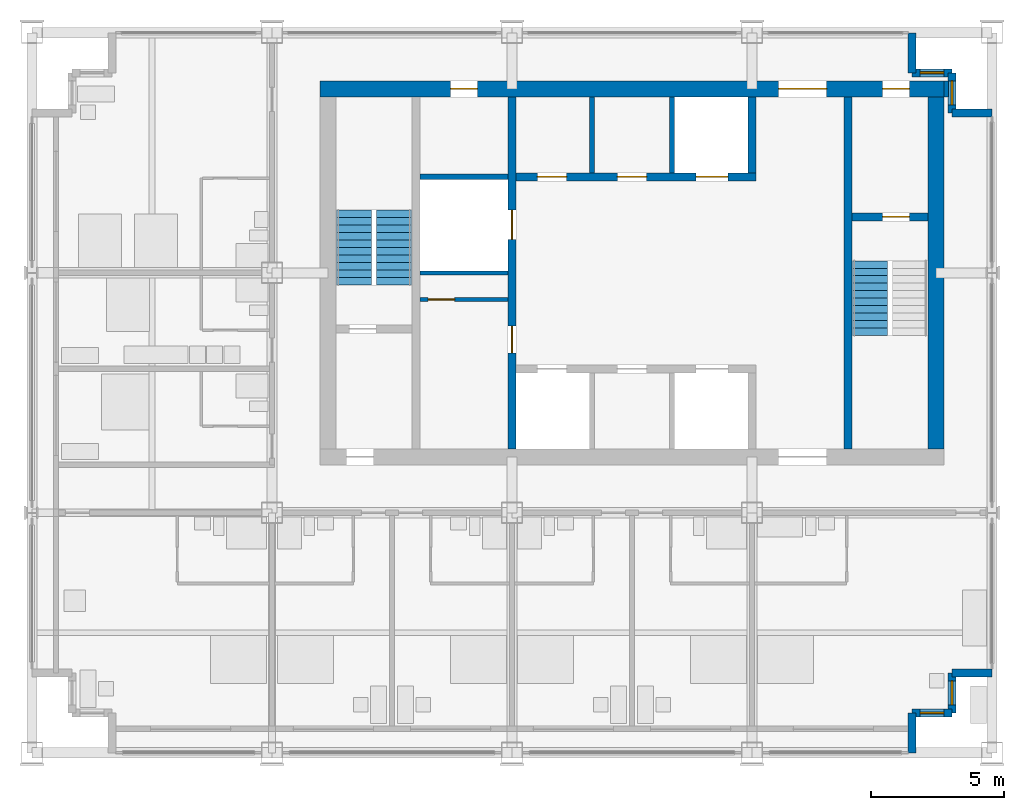
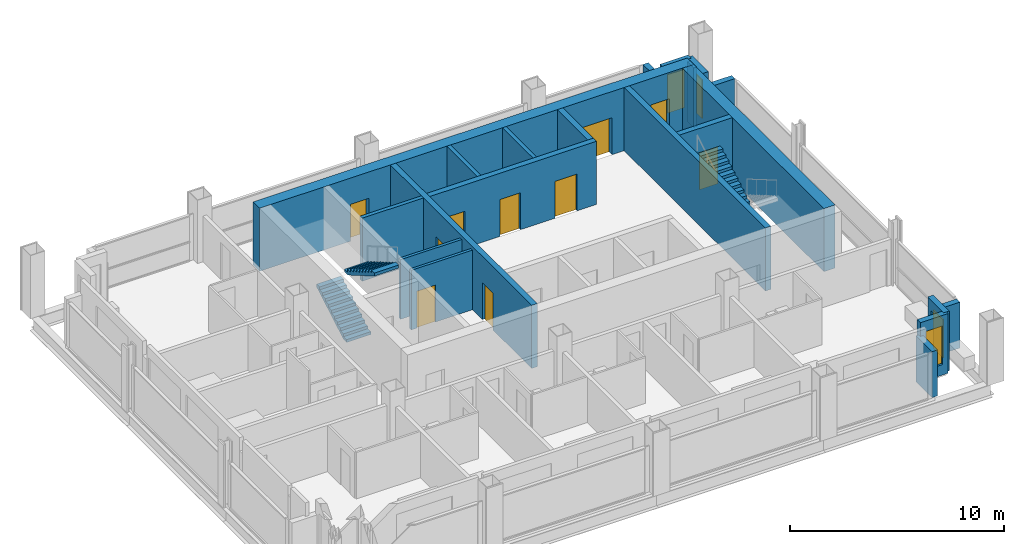
# One storey, part 8 of 12: 21 walls, 10 doors, 4 windows, 3 stair flights, 14 openings, 2 elements without a shape of their own.
"""IFC4 building model written with IfcOpenShell, lengths in metres."""

from ifc_helpers import new_model, si_unit, direction, frame, frame_2d, origin, place, context, subcontext, project, spatial, polyline, rectangle, outline, extrude, material, layer, layer_set, type_object, element, fill, aggregate, save


model = new_model("IFC4")

# Units and contexts
model_context = context("Model", 3, precision=1e-05, world=origin(), true_north=direction((0.0, 1.0)))
body_context = subcontext(model_context, "Body", "Model", "MODEL_VIEW")
ifc_project = project(units=[si_unit("LENGTHUNIT", "METRE"), si_unit("AREAUNIT", "SQUARE_METRE"), si_unit("VOLUMEUNIT", "CUBIC_METRE"), si_unit("PLANEANGLEUNIT", "RADIAN"), si_unit("MASSUNIT", "GRAM", prefix="KILO")], contexts=[model_context])

# Site, building, storey
site_placement = place(None, origin())
site = spatial("IfcSite", under=ifc_project, at=site_placement, CompositionType="ELEMENT")
building_placement = place(site_placement, origin())
building = spatial("IfcBuilding", under=site, at=building_placement, Name="Loomwork Tower", CompositionType="ELEMENT")
storey_placement = place(building_placement, frame((0.0, 0.0, 251.800048828125)))
storey = spatial("IfcBuildingStorey", under=building, at=storey_placement, Name="L69", CompositionType="ELEMENT", Elevation=251.800048828125)

# Wall, openings, doors
ifc_material_1 = material(Name="Concrete 14000 psi (97 MPa)", Category="concrete")
ifc_layer_1 = layer(ifc_material_1, 0.300048828125)
ifc_layer_set_1 = layer_set([ifc_layer_1], Name="Core shear wall 300")
wall_type_1 = type_object("IfcWallType", Name="Core shear wall 300", PredefinedType="SHEAR", material=ifc_layer_set_1)
wall_1_placement = place(storey_placement, frame((18.0, 11.39990234375, 0.0), z_axis=(0.0, 0.0, 1.0), x_axis=(0.0, 1.0, 0.0)))
wall_1 = element("IfcWall", 1, at=wall_1_placement, inside=storey, type_object=wall_type_1, Name="Lobby west wall L69", PredefinedType="SHEAR", context=body_context, shape_type="SweptSolid", body=[
    extrude(rectangle(XDim=13.2001953125, YDim=0.300048828125, at=frame_2d((6.60009765625, 0.0))), origin(), (0.0, 0.0, 1.0), 3.599853515625),
])
opening_1_placement = place(wall_1_placement, frame((3.60009765625, 0.0, 0.0)))
opening_1 = element("IfcOpeningElement", 2, at=opening_1_placement, cuts=wall_1, Name="Opening D5", PredefinedType="OPENING", context=body_context, shape_type="SweptSolid", body=[
    extrude(rectangle(XDim=1.0, YDim=2.10009765625, at=frame_2d((0.5, 1.050048828125))), frame((0.0, 0.159912109375, 0.0), z_axis=(0.0, -1.0, 0.0), x_axis=(1.0, 0.0, 0.0)), (0.0, 0.0, 1.0), 0.320068359375),
])
opening_2_placement = place(wall_1_placement, frame((7.85009765625, 0.0, 0.0)))
opening_2 = element("IfcOpeningElement", 3, at=opening_2_placement, cuts=wall_1, Name="Opening LD1", PredefinedType="OPENING", context=body_context, shape_type="SweptSolid", body=[
    extrude(rectangle(XDim=1.10009765625, YDim=2.10009765625, at=frame_2d((0.550048828125, 1.050048828125))), frame((0.0, 0.159912109375, 0.0), z_axis=(0.0, -1.0, 0.0), x_axis=(1.0, 0.0, 0.0)), (0.0, 0.0, 1.0), 0.320068359375),
])
ifc_material_2 = material(Name="Hollow metal door and frame")
door_type_1 = type_object("IfcDoorType", Name="Lift landing door 1100", OperationType="SLIDING_TO_LEFT", PredefinedType="DOOR", material=ifc_material_2)
door_1_placement = place(opening_2_placement, origin())
door_1 = element("IfcDoor", 4, at=door_1_placement, inside=storey, type_object=door_type_1, Name="Lift landing door LC2", OperationType="SLIDING_TO_LEFT", OverallHeight=2.10009765625, OverallWidth=1.10009765625, PredefinedType="DOOR", context=body_context, shape_type="SweptSolid", body=[
    extrude(rectangle(XDim=1.10009765625, YDim=2.10009765625, at=frame_2d((0.550048828125, 1.050048828125))), frame((0.0, 0.02490234375, 0.0), z_axis=(0.0, -1.0, 0.0), x_axis=(1.0, 0.0, 0.0)), (0.0, 0.0, 1.0), 0.050048828125),
])
fill(opening_2, door_1)
ifc_material_3 = material(Name="Hollow metal door and frame")
door_type_2 = type_object("IfcDoorType", Name="Service door 1000", OperationType="SINGLE_SWING_LEFT", PredefinedType="DOOR", material=ifc_material_3)
door_2_placement = place(opening_1_placement, origin())
door_2 = element("IfcDoor", 5, at=door_2_placement, inside=storey, type_object=door_type_2, Name="Back-of-house door south", OperationType="SINGLE_SWING_LEFT", OverallHeight=2.10009765625, OverallWidth=1.0, PredefinedType="DOOR", context=body_context, shape_type="SweptSolid", body=[
    extrude(rectangle(XDim=1.0, YDim=2.10009765625, at=frame_2d((0.5, 1.050048828125))), frame((0.0, 0.02490234375, 0.0), z_axis=(0.0, -1.0, 0.0), x_axis=(1.0, 0.0, 0.0)), (0.0, 0.0, 1.0), 0.050048828125),
])
fill(opening_1, door_2)

wall_2_placement = place(storey_placement, frame((18.14990234375, 21.60009765625, 0.0), z_axis=(0.0, 0.0, 1.0), x_axis=(1.0, 0.0, 0.0)))
wall_2 = element("IfcWall", 6, at=wall_2_placement, inside=storey, type_object=wall_type_1, Name="Lift front wall north L69", PredefinedType="SHEAR", context=body_context, shape_type="SweptSolid", body=[
    extrude(rectangle(XDim=9.0, YDim=0.300048828125, at=frame_2d((4.5, 0.0))), origin(), (0.0, 0.0, 1.0), 3.599853515625),
])
opening_3_placement = place(wall_2_placement, frame((6.75, 0.0, 0.0)))
opening_3 = element("IfcOpeningElement", 7, at=opening_3_placement, cuts=wall_2, Name="Opening LD2", PredefinedType="OPENING", context=body_context, shape_type="SweptSolid", body=[
    extrude(rectangle(XDim=1.199951171875, YDim=2.10009765625, at=frame_2d((0.60009765625, 1.050048828125))), frame((0.0, 0.159912109375, 0.0), z_axis=(0.0, -1.0, 0.0), x_axis=(1.0, 0.0, 0.0)), (0.0, 0.0, 1.0), 0.320068359375),
])
opening_4_placement = place(wall_2_placement, frame((0.800048828125, 0.0, 0.0)))
opening_4 = element("IfcOpeningElement", 8, at=opening_4_placement, cuts=wall_2, Name="Opening D17", PredefinedType="OPENING", context=body_context, shape_type="SweptSolid", body=[
    extrude(rectangle(XDim=1.10009765625, YDim=2.10009765625, at=frame_2d((0.550048828125, 1.050048828125))), frame((0.0, 0.159912109375, 0.0), z_axis=(0.0, -1.0, 0.0), x_axis=(1.0, 0.0, 0.0)), (0.0, 0.0, 1.0), 0.320068359375),
])
opening_5_placement = place(wall_2_placement, frame((3.800048828125, 0.0, 0.0)))
opening_5 = element("IfcOpeningElement", 9, at=opening_5_placement, cuts=wall_2, Name="Opening D17", PredefinedType="OPENING", context=body_context, shape_type="SweptSolid", body=[
    extrude(rectangle(XDim=1.10009765625, YDim=2.10009765625, at=frame_2d((0.550048828125, 1.050048828125))), frame((0.0, 0.159912109375, 0.0), z_axis=(0.0, -1.0, 0.0), x_axis=(1.0, 0.0, 0.0)), (0.0, 0.0, 1.0), 0.320068359375),
])
ifc_material_4 = material(Name="Hollow metal door and frame")
door_type_3 = type_object("IfcDoorType", Name="Lift landing door 1200", OperationType="SLIDING_TO_LEFT", PredefinedType="DOOR", material=ifc_material_4)
door_3_placement = place(opening_3_placement, origin())
door_3 = element("IfcDoor", 10, at=door_3_placement, inside=storey, type_object=door_type_3, Name="Lift landing door LF2", OperationType="SLIDING_TO_LEFT", OverallHeight=2.10009765625, OverallWidth=1.199951171875, PredefinedType="DOOR", context=body_context, shape_type="SweptSolid", body=[
    extrude(rectangle(XDim=1.199951171875, YDim=2.10009765625, at=frame_2d((0.60009765625, 1.050048828125))), frame((0.0, 0.02490234375, 0.0), z_axis=(0.0, -1.0, 0.0), x_axis=(1.0, 0.0, 0.0)), (0.0, 0.0, 1.0), 0.050048828125),
])
fill(opening_3, door_3)
ifc_material_5 = material(Name="Hollow metal door and frame")
door_type_4 = type_object("IfcDoorType", Name="Service room door 1100", OperationType="SINGLE_SWING_LEFT", PredefinedType="DOOR", material=ifc_material_5)
door_4_placement = place(opening_4_placement, origin())
door_4 = element("IfcDoor", 11, at=door_4_placement, inside=storey, type_object=door_type_4, Name="Housekeeping store door L69", OperationType="SINGLE_SWING_LEFT", OverallHeight=2.10009765625, OverallWidth=1.10009765625, PredefinedType="DOOR", context=body_context, shape_type="SweptSolid", body=[
    extrude(rectangle(XDim=1.10009765625, YDim=2.10009765625, at=frame_2d((0.550048828125, 1.050048828125))), frame((0.0, 0.02490234375, 0.0), z_axis=(0.0, -1.0, 0.0), x_axis=(1.0, 0.0, 0.0)), (0.0, 0.0, 1.0), 0.050048828125),
])
fill(opening_4, door_4)
door_5_placement = place(opening_5_placement, origin())
door_5 = element("IfcDoor", 12, at=door_5_placement, inside=storey, type_object=door_type_4, Name="Guest pantry, ice and vending door L69", OperationType="SINGLE_SWING_LEFT", OverallHeight=2.10009765625, OverallWidth=1.10009765625, PredefinedType="DOOR", context=body_context, shape_type="SweptSolid", body=[
    extrude(rectangle(XDim=1.10009765625, YDim=2.10009765625, at=frame_2d((0.550048828125, 1.050048828125))), frame((0.0, 0.02490234375, 0.0), z_axis=(0.0, -1.0, 0.0), x_axis=(1.0, 0.0, 0.0)), (0.0, 0.0, 1.0), 0.050048828125),
])
fill(opening_5, door_5)

# Walls
wall_3_placement = place(storey_placement, frame((27.0, 21.75, 0.0), z_axis=(0.0, 0.0, 1.0), x_axis=(0.0, 1.0, 0.0)))
element("IfcWall", 13, at=wall_3_placement, inside=storey, type_object=wall_type_1, Name="Lift shaft end wall north L69", PredefinedType="SHEAR", context=body_context, shape_type="SweptSolid", body=[
    extrude(rectangle(XDim=2.85009765625, YDim=0.300048828125, at=frame_2d((1.425048828125, 0.0))), origin(), (0.0, 0.0, 1.0), 3.599853515625),
])
wall_4_placement = place(storey_placement, frame((30.60009765625, 11.39990234375, 0.0), z_axis=(0.0, 0.0, 1.0), x_axis=(0.0, 1.0, 0.0)))
element("IfcWall", 14, at=wall_4_placement, inside=storey, type_object=wall_type_1, Name="Stair B west wall L69", PredefinedType="SHEAR", context=body_context, shape_type="SweptSolid", body=[
    extrude(rectangle(XDim=13.2001953125, YDim=0.300048828125, at=frame_2d((6.60009765625, 0.0))), origin(), (0.0, 0.0, 1.0), 3.599853515625),
])

# Wall, opening, door
wall_5_placement = place(storey_placement, frame((30.75, 20.10009765625, 0.0), z_axis=(0.0, 0.0, 1.0), x_axis=(1.0, 0.0, 0.0)))
wall_5 = element("IfcWall", 15, at=wall_5_placement, inside=storey, type_object=wall_type_1, Name="Stair B north wall L69", PredefinedType="SHEAR", context=body_context, shape_type="SweptSolid", body=[
    extrude(rectangle(XDim=2.85009765625, YDim=0.300048828125, at=frame_2d((1.425048828125, 0.0))), origin(), (0.0, 0.0, 1.0), 3.599853515625),
])
opening_6_placement = place(wall_5_placement, frame((1.14990234375, 0.0, 0.0)))
opening_6 = element("IfcOpeningElement", 16, at=opening_6_placement, cuts=wall_5, Name="Opening D4", PredefinedType="OPENING", context=body_context, shape_type="SweptSolid", body=[
    extrude(rectangle(XDim=1.0, YDim=2.10009765625, at=frame_2d((0.5, 1.050048828125))), frame((0.0, 0.159912109375, 0.0), z_axis=(0.0, -1.0, 0.0), x_axis=(1.0, 0.0, 0.0)), (0.0, 0.0, 1.0), 0.320068359375),
])
ifc_material_6 = material(Name="Hollow metal door and frame")
door_type_5 = type_object("IfcDoorType", Name="Stair door 1000", OperationType="SINGLE_SWING_RIGHT", PredefinedType="DOOR", material=ifc_material_6)
door_6_placement = place(opening_6_placement, frame((1.0, 0.0, 0.0), z_axis=(0.0, 0.0, 1.0), x_axis=(-1.0, 0.0, 0.0)))
door_6 = element("IfcDoor", 17, at=door_6_placement, inside=storey, type_object=door_type_5, Name="Stair B door", OperationType="SINGLE_SWING_LEFT", OverallHeight=2.10009765625, OverallWidth=1.0, PredefinedType="DOOR", context=body_context, shape_type="SweptSolid", body=[
    extrude(rectangle(XDim=1.0, YDim=2.10009765625, at=frame_2d((0.5, 1.050048828125))), frame((0.0, 0.02490234375, 0.0), z_axis=(0.0, -1.0, 0.0), x_axis=(1.0, 0.0, 0.0)), (0.0, 0.0, 1.0), 0.050048828125),
])
fill(opening_6, door_6)

# Wall, openings, doors
ifc_material_7 = material(Name="Concrete 14000 psi (97 MPa)", Category="concrete")
ifc_layer_2 = layer(ifc_material_7, 0.60009765625)
ifc_layer_set_2 = layer_set([ifc_layer_2], Name="Core shear wall 600")
wall_type_2 = type_object("IfcWallType", Name="Core shear wall 600", PredefinedType="SHEAR", material=ifc_layer_set_2)
wall_6_placement = place(storey_placement, frame((10.800048828125, 24.89990234375, 0.0), z_axis=(0.0, 0.0, 1.0), x_axis=(1.0, 0.0, 0.0)))
wall_6 = element("IfcWall", 18, at=wall_6_placement, inside=storey, type_object=wall_type_2, Name="Core wall north L69", PredefinedType="SHEAR", context=body_context, shape_type="SweptSolid", body=[
    extrude(rectangle(XDim=23.39990234375, YDim=0.60009765625, at=frame_2d((11.699951171875, 0.0))), origin(), (0.0, 0.0, 1.0), 3.599853515625),
])
opening_7_placement = place(wall_6_placement, frame((17.199951171875, 0.0, 0.0)))
opening_7 = element("IfcOpeningElement", 19, at=opening_7_placement, cuts=wall_6, Name="Opening D6", PredefinedType="OPENING", context=body_context, shape_type="SweptSolid", body=[
    extrude(rectangle(XDim=1.800048828125, YDim=2.10009765625, at=frame_2d((0.89990234375, 1.050048828125))), frame((0.0, 0.31005859375, 0.0), z_axis=(0.0, -1.0, 0.0), x_axis=(1.0, 0.0, 0.0)), (0.0, 0.0, 1.0), 0.6201171875),
])
opening_8_placement = place(wall_6_placement, frame((21.10009765625, 0.0, 0.0)))
opening_8 = element("IfcOpeningElement", 20, at=opening_8_placement, cuts=wall_6, Name="Opening D4", PredefinedType="OPENING", context=body_context, shape_type="SweptSolid", body=[
    extrude(rectangle(XDim=1.0, YDim=2.10009765625, at=frame_2d((0.5, 1.050048828125))), frame((0.0, 0.31005859375, 0.0), z_axis=(0.0, -1.0, 0.0), x_axis=(1.0, 0.0, 0.0)), (0.0, 0.0, 1.0), 0.6201171875),
])
opening_9_placement = place(wall_6_placement, frame((4.89990234375, 0.0, 0.0)))
opening_9 = element("IfcOpeningElement", 21, at=opening_9_placement, cuts=wall_6, Name="Opening D5", PredefinedType="OPENING", context=body_context, shape_type="SweptSolid", body=[
    extrude(rectangle(XDim=1.0, YDim=2.10009765625, at=frame_2d((0.5, 1.050048828125))), frame((0.0, 0.31005859375, 0.0), z_axis=(0.0, -1.0, 0.0), x_axis=(1.0, 0.0, 0.0)), (0.0, 0.0, 1.0), 0.6201171875),
])
ifc_material_8 = material(Name="Hollow metal door and frame")
door_type_6 = type_object("IfcDoorType", Name="Lobby passage double door 1800", OperationType="DOUBLE_DOOR_SINGLE_SWING", PredefinedType="DOOR", material=ifc_material_8)
door_7_placement = place(opening_7_placement, frame((1.800048828125, 0.0, 0.0), z_axis=(0.0, 0.0, 1.0), x_axis=(-1.0, 0.0, 0.0)))
door_7 = element("IfcDoor", 22, at=door_7_placement, inside=storey, type_object=door_type_6, Name="Lobby passage door north", OperationType="DOUBLE_DOOR_SINGLE_SWING", OverallHeight=2.10009765625, OverallWidth=1.800048828125, PredefinedType="DOOR", context=body_context, shape_type="SweptSolid", body=[
    extrude(rectangle(XDim=1.800048828125, YDim=2.10009765625, at=frame_2d((0.89990234375, 1.050048828125))), frame((0.0, 0.02490234375, 0.0), z_axis=(0.0, -1.0, 0.0), x_axis=(1.0, 0.0, 0.0)), (0.0, 0.0, 1.0), 0.050048828125),
])
fill(opening_7, door_7)
door_8_placement = place(opening_9_placement, frame((1.0, 0.0, 0.0), z_axis=(0.0, 0.0, 1.0), x_axis=(-1.0, 0.0, 0.0)))
door_8 = element("IfcDoor", 23, at=door_8_placement, inside=storey, type_object=door_type_2, Name="Back-of-house door north", OperationType="SINGLE_SWING_LEFT", OverallHeight=2.10009765625, OverallWidth=1.0, PredefinedType="DOOR", context=body_context, shape_type="SweptSolid", body=[
    extrude(rectangle(XDim=1.0, YDim=2.10009765625, at=frame_2d((0.5, 1.050048828125))), frame((0.0, 0.02490234375, 0.0), z_axis=(0.0, -1.0, 0.0), x_axis=(1.0, 0.0, 0.0)), (0.0, 0.0, 1.0), 0.050048828125),
])
fill(opening_9, door_8)
door_9_placement = place(opening_8_placement, frame((1.0, 0.0, 0.0), z_axis=(0.0, 0.0, 1.0), x_axis=(-1.0, 0.0, 0.0)))
door_9 = element("IfcDoor", 24, at=door_9_placement, inside=storey, type_object=door_type_5, Name="Stair B vestibule door", OperationType="SINGLE_SWING_LEFT", OverallHeight=2.10009765625, OverallWidth=1.0, PredefinedType="DOOR", context=body_context, shape_type="SweptSolid", body=[
    extrude(rectangle(XDim=1.0, YDim=2.10009765625, at=frame_2d((0.5, 1.050048828125))), frame((0.0, 0.02490234375, 0.0), z_axis=(0.0, -1.0, 0.0), x_axis=(1.0, 0.0, 0.0)), (0.0, 0.0, 1.0), 0.050048828125),
])
fill(opening_8, door_9)

# Walls
wall_7_placement = place(storey_placement, frame((33.89990234375, 11.39990234375, 0.0), z_axis=(0.0, 0.0, 1.0), x_axis=(0.0, 1.0, 0.0)))
element("IfcWall", 25, at=wall_7_placement, inside=storey, type_object=wall_type_2, Name="Core wall east L69", PredefinedType="SHEAR", context=body_context, shape_type="SweptSolid", body=[
    extrude(rectangle(XDim=13.2001953125, YDim=0.60009765625, at=frame_2d((6.60009765625, 0.0))), origin(), (0.0, 0.0, 1.0), 3.599853515625),
])
ifc_material_9 = material(Name="Concrete 14000 psi (97 MPa)", Category="concrete")
ifc_layer_3 = layer(ifc_material_9, 0.199951171875)
ifc_layer_set_3 = layer_set([ifc_layer_3], Name="Lift shaft wall 200")
wall_type_3 = type_object("IfcWallType", Name="Lift shaft wall 200", PredefinedType="SHEAR", material=ifc_layer_set_3)
for number, where, z_axis, x_axis, name in (
    (26, (21.0, 21.75, 0.0), (0.0, 0.0, 1.0), (0.0, 1.0, 0.0), "Lift shaft separation wall north 1 L69"),
    (27, (24.0, 21.75, 0.0), (0.0, 0.0, 1.0), (0.0, 1.0, 0.0), "Lift shaft separation wall north 2 L69"),
):
    element("IfcWall", number, at=place(storey_placement, frame(where, z_axis=z_axis, x_axis=x_axis)), inside=storey, type_object=wall_type_3, Name=name, PredefinedType="SHEAR", context=body_context, shape_type="SweptSolid", body=[
        extrude(rectangle(XDim=2.85009765625, YDim=0.199951171875, at=frame_2d((1.425048828125, 0.0))), origin(), (0.0, 0.0, 1.0), 3.599853515625),
    ])
wall_8_placement = place(storey_placement, frame((14.550048828125, 21.60009765625, 0.0), z_axis=(0.0, 0.0, 1.0), x_axis=(1.0, 0.0, 0.0)))
element("IfcWall", 28, at=wall_8_placement, inside=storey, type_object=wall_type_3, Name="Lift shaft wall west north L69", PredefinedType="SHEAR", context=body_context, shape_type="SweptSolid", body=[
    extrude(rectangle(XDim=3.300048828125, YDim=0.199951171875, at=frame_2d((1.64990234375, 0.0))), origin(), (0.0, 0.0, 1.0), 3.599853515625),
])
ifc_material_10 = material(Name="Limestone on concrete masonry", Category="masonry")
ifc_layer_4 = layer(ifc_material_10, 0.300048828125)
ifc_layer_set_4 = layer_set([ifc_layer_4], Name="Limestone corner wall 300")
wall_type_4 = type_object("IfcWallType", Name="Limestone corner wall 300", PredefinedType="SOLIDWALL", material=ifc_layer_set_4)
wall_9_placement = place(storey_placement, frame((33.0, 0.0, 0.0), z_axis=(0.0, 0.0, 1.0), x_axis=(0.0, 1.0, 0.0)))
element("IfcWall", 29, at=wall_9_placement, inside=storey, type_object=wall_type_4, Name="Stone corner wall SE 1", PredefinedType="SOLIDWALL", context=body_context, shape_type="SweptSolid", body=[
    extrude(rectangle(XDim=1.5, YDim=0.300048828125, at=frame_2d((0.75, 0.0))), origin(), (0.0, 0.0, 1.0), 2.619873046875),
])

# Wall, opening, window
wall_10_placement = place(storey_placement, frame((33.0, 1.5, 0.0), z_axis=(0.0, 0.0, 1.0), x_axis=(1.0, 0.0, 0.0)))
wall_10 = element("IfcWall", 30, at=wall_10_placement, inside=storey, type_object=wall_type_4, Name="Stone corner wall SE 2", PredefinedType="SOLIDWALL", context=body_context, shape_type="SweptSolid", body=[
    extrude(rectangle(XDim=1.5, YDim=0.300048828125, at=frame_2d((0.75, 0.0))), origin(), (0.0, 0.0, 1.0), 3.39990234375),
])
opening_10_placement = place(wall_10_placement, frame((0.300048828125, 0.0, 0.60009765625)))
opening_10 = element("IfcOpeningElement", 31, at=opening_10_placement, cuts=wall_10, Name="Opening CH2", PredefinedType="OPENING", context=body_context, shape_type="SweptSolid", body=[
    extrude(rectangle(XDim=0.89990234375, YDim=2.199951171875, at=frame_2d((0.449951171875, 1.10009765625))), frame((0.0, 0.159912109375, 0.0), z_axis=(0.0, -1.0, 0.0), x_axis=(1.0, 0.0, 0.0)), (0.0, 0.0, 1.0), 0.320068359375),
])
ifc_material_11 = material(Name="Aluminium frame with clear insulated glass", Category="aluminium")
window_type = type_object("IfcWindowType", Name="Corner window 900", PartitioningType="SINGLE_PANEL", PredefinedType="WINDOW", material=ifc_material_11)
window_1_placement = place(opening_10_placement, origin())
window_1 = element("IfcWindow", 32, at=window_1_placement, inside=storey, type_object=window_type, Name="Corner window SE", OverallHeight=2.199951171875, OverallWidth=0.89990234375, PartitioningType="SINGLE_PANEL", PredefinedType="WINDOW", context=body_context, shape_type="SweptSolid", body=[
    extrude(rectangle(XDim=0.89990234375, YDim=2.199951171875, at=frame_2d((0.449951171875, 1.10009765625))), frame((0.0, 0.030029296875, 0.0), z_axis=(0.0, -1.0, 0.0), x_axis=(1.0, 0.0, 0.0)), (0.0, 0.0, 1.0), 0.06005859375),
])
fill(opening_10, window_1)

wall_11_placement = place(storey_placement, frame((34.5, 1.5, 0.0), z_axis=(0.0, 0.0, 1.0), x_axis=(0.0, 1.0, 0.0)))
wall_11 = element("IfcWall", 33, at=wall_11_placement, inside=storey, type_object=wall_type_4, Name="Stone corner wall SE 3", PredefinedType="SOLIDWALL", context=body_context, shape_type="SweptSolid", body=[
    extrude(rectangle(XDim=1.5, YDim=0.300048828125, at=frame_2d((0.75, 0.0))), origin(), (0.0, 0.0, 1.0), 3.39990234375),
])
opening_11_placement = place(wall_11_placement, frame((0.300048828125, 0.0, 0.60009765625)))
opening_11 = element("IfcOpeningElement", 34, at=opening_11_placement, cuts=wall_11, Name="Opening CH2", PredefinedType="OPENING", context=body_context, shape_type="SweptSolid", body=[
    extrude(rectangle(XDim=0.89990234375, YDim=2.199951171875, at=frame_2d((0.449951171875, 1.10009765625))), frame((0.0, 0.159912109375, 0.0), z_axis=(0.0, -1.0, 0.0), x_axis=(1.0, 0.0, 0.0)), (0.0, 0.0, 1.0), 0.320068359375),
])
window_2_placement = place(opening_11_placement, origin())
window_2 = element("IfcWindow", 35, at=window_2_placement, inside=storey, type_object=window_type, Name="Corner window SE", OverallHeight=2.199951171875, OverallWidth=0.89990234375, PartitioningType="SINGLE_PANEL", PredefinedType="WINDOW", context=body_context, shape_type="SweptSolid", body=[
    extrude(rectangle(XDim=0.89990234375, YDim=2.199951171875, at=frame_2d((0.449951171875, 1.10009765625))), frame((0.0, 0.030029296875, 0.0), z_axis=(0.0, -1.0, 0.0), x_axis=(1.0, 0.0, 0.0)), (0.0, 0.0, 1.0), 0.06005859375),
])
fill(opening_11, window_2)

# Walls
for number, where, z_axis, x_axis, name in (
    (36, (34.5, 3.0, 0.0), (0.0, 0.0, 1.0), (1.0, 0.0, 0.0), "Stone corner wall SE 4"),
    (37, (36.0, 24.0, 0.0), (0.0, 0.0, 1.0), (-1.0, 0.0, 0.0), "Stone corner wall NE 1"),
):
    element("IfcWall", number, at=place(storey_placement, frame(where, z_axis=z_axis, x_axis=x_axis)), inside=storey, type_object=wall_type_4, Name=name, PredefinedType="SOLIDWALL", context=body_context, shape_type="SweptSolid", body=[
        extrude(rectangle(XDim=1.5, YDim=0.300048828125, at=frame_2d((0.75, 0.0))), origin(), (0.0, 0.0, 1.0), 2.619873046875),
    ])

# Wall, opening, window
wall_12_placement = place(storey_placement, frame((34.5, 24.0, 0.0), z_axis=(0.0, 0.0, 1.0), x_axis=(0.0, 1.0, 0.0)))
wall_12 = element("IfcWall", 38, at=wall_12_placement, inside=storey, type_object=wall_type_4, Name="Stone corner wall NE 2", PredefinedType="SOLIDWALL", context=body_context, shape_type="SweptSolid", body=[
    extrude(rectangle(XDim=1.5, YDim=0.300048828125, at=frame_2d((0.75, 0.0))), origin(), (0.0, 0.0, 1.0), 3.39990234375),
])
opening_12_placement = place(wall_12_placement, frame((0.300048828125, 0.0, 0.60009765625)))
opening_12 = element("IfcOpeningElement", 39, at=opening_12_placement, cuts=wall_12, Name="Opening CH2", PredefinedType="OPENING", context=body_context, shape_type="SweptSolid", body=[
    extrude(rectangle(XDim=0.89990234375, YDim=2.199951171875, at=frame_2d((0.449951171875, 1.10009765625))), frame((0.0, 0.159912109375, 0.0), z_axis=(0.0, -1.0, 0.0), x_axis=(1.0, 0.0, 0.0)), (0.0, 0.0, 1.0), 0.320068359375),
])
window_3_placement = place(opening_12_placement, origin())
window_3 = element("IfcWindow", 40, at=window_3_placement, inside=storey, type_object=window_type, Name="Corner window NE", OverallHeight=2.199951171875, OverallWidth=0.89990234375, PartitioningType="SINGLE_PANEL", PredefinedType="WINDOW", context=body_context, shape_type="SweptSolid", body=[
    extrude(rectangle(XDim=0.89990234375, YDim=2.199951171875, at=frame_2d((0.449951171875, 1.10009765625))), frame((0.0, 0.030029296875, 0.0), z_axis=(0.0, -1.0, 0.0), x_axis=(1.0, 0.0, 0.0)), (0.0, 0.0, 1.0), 0.06005859375),
])
fill(opening_12, window_3)

wall_13_placement = place(storey_placement, frame((34.5, 25.5, 0.0), z_axis=(0.0, 0.0, 1.0), x_axis=(-1.0, 0.0, 0.0)))
wall_13 = element("IfcWall", 41, at=wall_13_placement, inside=storey, type_object=wall_type_4, Name="Stone corner wall NE 3", PredefinedType="SOLIDWALL", context=body_context, shape_type="SweptSolid", body=[
    extrude(rectangle(XDim=1.5, YDim=0.300048828125, at=frame_2d((0.75, 0.0))), origin(), (0.0, 0.0, 1.0), 3.39990234375),
])
opening_13_placement = place(wall_13_placement, frame((0.300048828125, 0.0, 0.60009765625)))
opening_13 = element("IfcOpeningElement", 42, at=opening_13_placement, cuts=wall_13, Name="Opening CH2", PredefinedType="OPENING", context=body_context, shape_type="SweptSolid", body=[
    extrude(rectangle(XDim=0.89990234375, YDim=2.199951171875, at=frame_2d((0.449951171875, 1.10009765625))), frame((0.0, 0.159912109375, 0.0), z_axis=(0.0, -1.0, 0.0), x_axis=(1.0, 0.0, 0.0)), (0.0, 0.0, 1.0), 0.320068359375),
])
window_4_placement = place(opening_13_placement, origin())
window_4 = element("IfcWindow", 43, at=window_4_placement, inside=storey, type_object=window_type, Name="Corner window NE", OverallHeight=2.199951171875, OverallWidth=0.89990234375, PartitioningType="SINGLE_PANEL", PredefinedType="WINDOW", context=body_context, shape_type="SweptSolid", body=[
    extrude(rectangle(XDim=0.89990234375, YDim=2.199951171875, at=frame_2d((0.449951171875, 1.10009765625))), frame((0.0, 0.030029296875, 0.0), z_axis=(0.0, -1.0, 0.0), x_axis=(1.0, 0.0, 0.0)), (0.0, 0.0, 1.0), 0.06005859375),
])
fill(opening_13, window_4)

# Walls
wall_14_placement = place(storey_placement, frame((33.0, 25.5, 0.0), z_axis=(0.0, 0.0, 1.0), x_axis=(0.0, 1.0, 0.0)))
element("IfcWall", 44, at=wall_14_placement, inside=storey, type_object=wall_type_4, Name="Stone corner wall NE 4", PredefinedType="SOLIDWALL", context=body_context, shape_type="SweptSolid", body=[
    extrude(rectangle(XDim=1.5, YDim=0.300048828125, at=frame_2d((0.75, 0.0))), origin(), (0.0, 0.0, 1.0), 2.619873046875),
])
ifc_material_12 = material(Name="Gypsum board on steel studs", Category="steel")
ifc_layer_5 = layer(ifc_material_12, 0.14990234375)
ifc_layer_set_5 = layer_set([ifc_layer_5], Name="Partition 150 two-hour")
wall_type_5 = type_object("IfcWallType", Name="Partition 150 two-hour", PredefinedType="PARTITIONING", material=ifc_layer_set_5)
wall_15_placement = place(storey_placement, frame((14.550048828125, 18.0, 0.0), z_axis=(0.0, 0.0, 1.0), x_axis=(1.0, 0.0, 0.0)))
element("IfcWall", 45, at=wall_15_placement, inside=storey, type_object=wall_type_5, Name="Back-of-house dividing wall L69", PredefinedType="PARTITIONING", context=body_context, shape_type="SweptSolid", body=[
    extrude(rectangle(XDim=3.300048828125, YDim=0.14990234375, at=frame_2d((1.64990234375, 0.0))), origin(), (0.0, 0.0, 1.0), 3.39990234375),
])
ifc_material_13 = material(Name="Gypsum board on steel studs, one-hour", Category="steel")
ifc_layer_6 = layer(ifc_material_13, 0.14990234375)
ifc_layer_set_6 = layer_set([ifc_layer_6], Name="Service partition 150")
wall_type_6 = type_object("IfcWallType", Name="Service partition 150", PredefinedType="PARTITIONING", material=ifc_layer_set_6)
wall_16_placement = place(storey_placement, frame((34.199951171875, 24.89990234375, 0.0), z_axis=(0.0, 0.0, 1.0), x_axis=(1.0, 0.0, 0.0)))
element("IfcWall", 46, at=wall_16_placement, inside=storey, type_object=wall_type_6, Name="Core wall infill L69", PredefinedType="PARTITIONING", context=body_context, shape_type="SweptSolid", body=[
    extrude(rectangle(XDim=0.16015625, YDim=0.60009765625, at=frame_2d((0.080078125, 0.0))), origin(), (0.0, 0.0, 1.0), 3.39990234375),
])

# Wall, opening, door
wall_17_placement = place(storey_placement, frame((14.550048828125, 17.0, 0.0), z_axis=(0.0, 0.0, 1.0), x_axis=(1.0, 0.0, 0.0)))
wall_17 = element("IfcWall", 47, at=wall_17_placement, inside=storey, type_object=wall_type_6, Name="Riser enclosure L69", PredefinedType="PARTITIONING", context=body_context, shape_type="SweptSolid", body=[
    extrude(rectangle(XDim=3.300048828125, YDim=0.14990234375, at=frame_2d((1.64990234375, 0.0))), origin(), (0.0, 0.0, 1.0), 3.39990234375),
])
opening_14_placement = place(wall_17_placement, frame((0.300048828125, 0.0, 0.0)))
opening_14 = element("IfcOpeningElement", 48, at=opening_14_placement, cuts=wall_17, Name="Opening D18", PredefinedType="OPENING", context=body_context, shape_type="SweptSolid", body=[
    extrude(rectangle(XDim=1.0, YDim=2.10009765625, at=frame_2d((0.5, 1.050048828125))), frame((0.0, 0.0849609375, 0.0), z_axis=(0.0, -1.0, 0.0), x_axis=(1.0, 0.0, 0.0)), (0.0, 0.0, 1.0), 0.169921875),
])
ifc_material_14 = material(Name="Hollow metal door and frame")
door_type_7 = type_object("IfcDoorType", Name="Ninety-minute service door 1000", OperationType="SINGLE_SWING_LEFT", PredefinedType="DOOR", material=ifc_material_14)
door_10_placement = place(opening_14_placement, frame((1.0, 0.0, 0.0), z_axis=(0.0, 0.0, 1.0), x_axis=(-1.0, 0.0, 0.0)))
door_10 = element("IfcDoor", 49, at=door_10_placement, inside=storey, type_object=door_type_7, Name="Riser access door", OperationType="SINGLE_SWING_RIGHT", OverallHeight=2.10009765625, OverallWidth=1.0, PredefinedType="DOOR", context=body_context, shape_type="SweptSolid", body=[
    extrude(rectangle(XDim=1.0, YDim=2.10009765625, at=frame_2d((0.5, 1.050048828125))), frame((0.0, 0.02490234375, 0.0), z_axis=(0.0, -1.0, 0.0), x_axis=(1.0, 0.0, 0.0)), (0.0, 0.0, 1.0), 0.050048828125),
])
fill(opening_14, door_10)

# Stair, stair flights
ifc_material_15 = material(Name="Concrete 5000 psi (34 MPa) precast stair", Category="concrete")
stair_type_1 = type_object("IfcStairType", Name="Stair ST-A 22 risers 2850 wide", PredefinedType="HALF_TURN_STAIR", material=ifc_material_15)
stair_1_placement = place(storey_placement, origin())
stair_1 = element("IfcStair", 50, at=stair_1_placement, inside=storey, type_object=stair_type_1, Name="Stair A L69", PredefinedType="HALF_TURN_STAIR")
ifc_material_16 = material(Name="Concrete 5000 psi (34 MPa) precast stair", Category="concrete")
stair_flight_type_1 = type_object("IfcStairFlightType", Name="Stair flight ST-A 11 risers 1300 wide", PredefinedType="STRAIGHT", material=ifc_material_16)
stair_flight_1_placement = place(storey_placement, frame((12.074951171875, 17.550048828125, 0.0), z_axis=(0.0, 0.0, 1.0), x_axis=(0.0, 1.0, 0.0)))
stair_flight_1 = element("IfcStairFlight", 51, at=stair_flight_1_placement, type_object=stair_flight_type_1, Name="ST-A flight 1", NumberOfRisers=11, NumberOfTreads=10, PredefinedType="STRAIGHT", RiserHeight=0.163636364, TreadLength=0.28, context=body_context, shape_type="SweptSolid", body=[
    extrude(outline(polyline([(0.0, 0.0), (0.0, 0.16357421875), (0.280029296875, 0.16357421875), (0.280029296875, 0.327392578125), (0.56005859375, 0.327392578125), (0.56005859375, 0.490966796875), (0.840087890625, 0.490966796875), (0.840087890625, 0.654541015625), (1.1201171875, 0.654541015625), (1.1201171875, 0.818115234375), (1.39990234375, 0.818115234375), (1.39990234375, 0.98193359375), (1.679931640625, 0.98193359375), (1.679931640625, 1.1455078125), (1.9599609375, 1.1455078125), (1.9599609375, 1.30908203125), (2.239990234375, 1.30908203125), (2.239990234375, 1.47265625), (2.52001953125, 1.47265625), (2.52001953125, 1.636474609375), (2.800048828125, 1.636474609375), (2.800048828125, 1.800048828125), (2.800048828125, 1.462646484375), (0.297119140625, 0.0), (0.0, 0.0)])), frame((0.0, 0.64990234375, 0.0), z_axis=(0.0, -1.0, 0.0), x_axis=(1.0, 0.0, 0.0)), (0.0, 0.0, 1.0), 1.300048828125),
])
stair_flight_2_placement = place(storey_placement, frame((13.574951171875, 20.35009765625, 1.800048828125), z_axis=(0.0, 0.0, 1.0), x_axis=(0.0, -1.0, 0.0)))
stair_flight_2 = element("IfcStairFlight", 52, at=stair_flight_2_placement, type_object=stair_flight_type_1, Name="ST-A flight 2", NumberOfRisers=11, NumberOfTreads=10, PredefinedType="STRAIGHT", RiserHeight=0.163636364, TreadLength=0.28, context=body_context, shape_type="SweptSolid", body=[
    extrude(outline(polyline([(0.0, 0.0), (0.0, 0.16357421875), (0.280029296875, 0.16357421875), (0.280029296875, 0.327392578125), (0.56005859375, 0.327392578125), (0.56005859375, 0.490966796875), (0.840087890625, 0.490966796875), (0.840087890625, 0.654541015625), (1.1201171875, 0.654541015625), (1.1201171875, 0.818115234375), (1.39990234375, 0.818115234375), (1.39990234375, 0.98193359375), (1.679931640625, 0.98193359375), (1.679931640625, 1.1455078125), (1.9599609375, 1.1455078125), (1.9599609375, 1.30908203125), (2.239990234375, 1.30908203125), (2.239990234375, 1.47265625), (2.52001953125, 1.47265625), (2.52001953125, 1.636474609375), (2.800048828125, 1.636474609375), (2.800048828125, 1.800048828125), (2.800048828125, 1.462646484375), (0.297119140625, 0.0), (0.0, 0.0)])), frame((0.0, 0.64990234375, 0.0), z_axis=(0.0, -1.0, 0.0), x_axis=(1.0, 0.0, 0.0)), (0.0, 0.0, 1.0), 1.300048828125),
])
aggregate(stair_1, [stair_flight_1, stair_flight_2])

# Stair, stair flight
ifc_material_17 = material(Name="Concrete 5000 psi (34 MPa) precast stair", Category="concrete")
stair_type_2 = type_object("IfcStairType", Name="Stair ST-B 22 risers 2850 wide", PredefinedType="HALF_TURN_STAIR", material=ifc_material_17)
stair_2_placement = place(storey_placement, origin())
stair_2 = element("IfcStair", 53, at=stair_2_placement, inside=storey, type_object=stair_type_2, Name="Stair B L69", PredefinedType="HALF_TURN_STAIR")
ifc_material_18 = material(Name="Concrete 5000 psi (34 MPa) precast stair", Category="concrete")
stair_flight_type_2 = type_object("IfcStairFlightType", Name="Stair flight ST-B 11 risers 1300 wide", PredefinedType="STRAIGHT", material=ifc_material_18)
stair_flight_3_placement = place(storey_placement, frame((31.425048828125, 15.64990234375, 1.800048828125), z_axis=(0.0, 0.0, 1.0), x_axis=(0.0, 1.0, 0.0)))
stair_flight_3 = element("IfcStairFlight", 54, at=stair_flight_3_placement, type_object=stair_flight_type_2, Name="ST-B flight 2", NumberOfRisers=11, NumberOfTreads=10, PredefinedType="STRAIGHT", RiserHeight=0.163636364, TreadLength=0.28, context=body_context, shape_type="SweptSolid", body=[
    extrude(outline(polyline([(0.0, 0.0), (0.0, 0.16357421875), (0.280029296875, 0.16357421875), (0.280029296875, 0.327392578125), (0.56005859375, 0.327392578125), (0.56005859375, 0.490966796875), (0.840087890625, 0.490966796875), (0.840087890625, 0.654541015625), (1.1201171875, 0.654541015625), (1.1201171875, 0.818115234375), (1.39990234375, 0.818115234375), (1.39990234375, 0.98193359375), (1.679931640625, 0.98193359375), (1.679931640625, 1.1455078125), (1.9599609375, 1.1455078125), (1.9599609375, 1.30908203125), (2.239990234375, 1.30908203125), (2.239990234375, 1.47265625), (2.52001953125, 1.47265625), (2.52001953125, 1.636474609375), (2.800048828125, 1.636474609375), (2.800048828125, 1.800048828125), (2.800048828125, 1.462646484375), (0.297119140625, 0.0), (0.0, 0.0)])), frame((0.0, 0.64990234375, 0.0), z_axis=(0.0, -1.0, 0.0), x_axis=(1.0, 0.0, 0.0)), (0.0, 0.0, 1.0), 1.300048828125),
])
aggregate(stair_2, [stair_flight_3])

save(model, "model.ifc")
